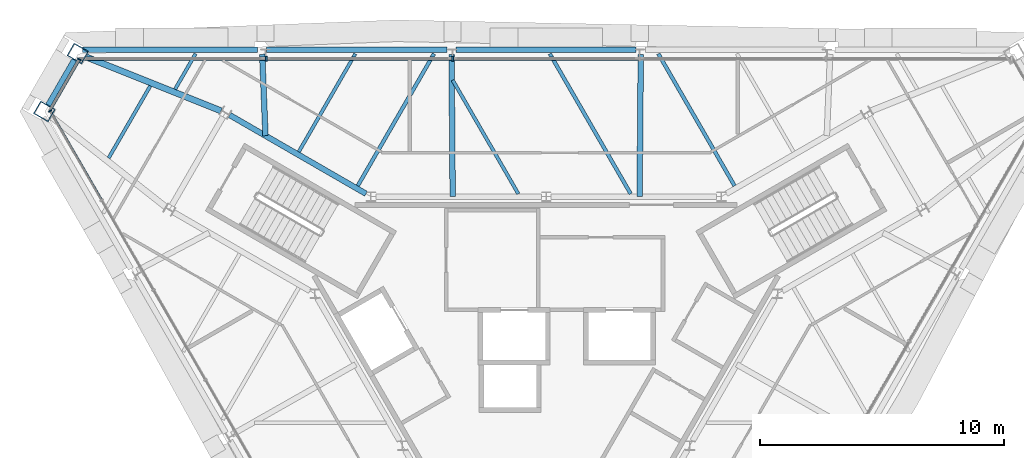
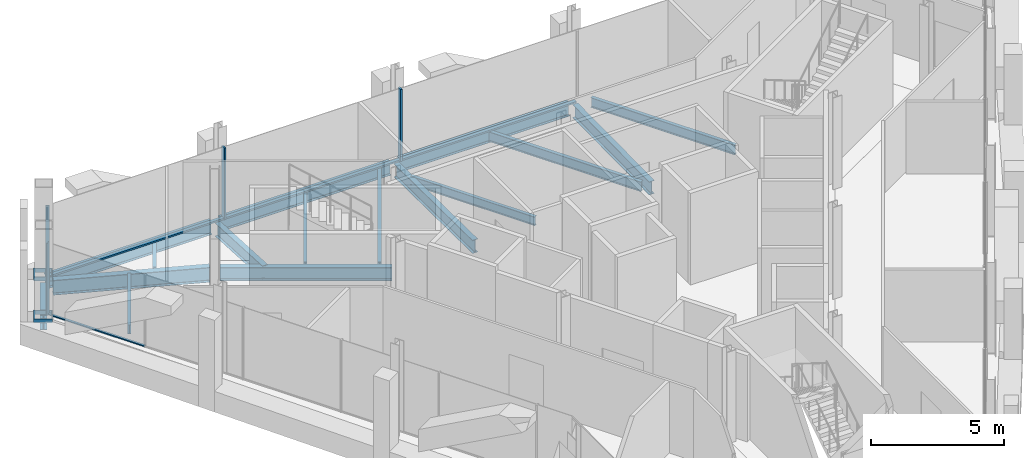
# One storey, part 6 of 13: 16 beams, 11 members, 3 elements without a shape of their own.
"""IFC4 building model written with IfcOpenShell, lengths in metres."""

from ifc_helpers import new_model, si_unit, direction, frame, origin, origin_2d, place, context, subcontext, project, spatial, rectangle, hollow_rectangle, i_section, extrude, material, material_profile, profile_set, type_object, element, aggregate, save


model = new_model("IFC4")

# Units and contexts
model_context = context("Model", 3, precision=1e-05, world=origin(), true_north=direction((0.0, 1.0)))
body_context = subcontext(model_context, "Body", "Model", "MODEL_VIEW")
ifc_project = project(units=[si_unit("LENGTHUNIT", "METRE"), si_unit("AREAUNIT", "SQUARE_METRE"), si_unit("VOLUMEUNIT", "CUBIC_METRE"), si_unit("PLANEANGLEUNIT", "RADIAN"), si_unit("MASSUNIT", "GRAM", prefix="KILO")], contexts=[model_context])

# Site, building, storey
site_placement = place(None, origin())
site = spatial("IfcSite", under=ifc_project, at=site_placement, CompositionType="ELEMENT")
building_placement = place(site_placement, origin())
building = spatial("IfcBuilding", under=site, at=building_placement, Name="Verrane Prism Tower", CompositionType="ELEMENT")
storey_placement = place(building_placement, frame((0.0, 0.0, 308.39990234375)))
storey = spatial("IfcBuildingStorey", under=building, at=storey_placement, Name="L78", CompositionType="ELEMENT", Elevation=308.39990234375)

# Beams
ifc_material_1 = material(Name="Steel A992", Category="steel")
ifc_material_profile_1 = material_profile(ifc_material_1, i_section(OverallWidth=0.25390625, OverallDepth=0.683349609375, WebThickness=0.012451171875, FlangeThickness=0.01904296875, FilletRadius=0.01513671875, at=origin_2d()), Name="W27x94")
ifc_profile_set_1 = profile_set([ifc_material_profile_1], Name="Steel A992")
beam_type_1 = type_object("IfcBeamType", Name="Chamfer spandrel beam W27x94", PredefinedType="SPANDREL", material=ifc_profile_set_1)
beam_1_placement = place(storey_placement, frame((-19.320068359375, 12.390380859375, -0.50146484375), z_axis=(-0.500486898547, -0.865744110221, 0.0), x_axis=(0.865744110221, -0.500486898547, 0.0)))
element("IfcBeam", 1, at=beam_1_placement, inside=storey, type_object=beam_type_1, Name="Chamfer spandrel beam L78", PredefinedType="SPANDREL", context=body_context, shape_type="SweptSolid", body=[
    extrude(i_section(OverallWidth=0.25390625, OverallDepth=0.683349609375, WebThickness=0.012451171875, FlangeThickness=0.01904296875, FilletRadius=0.01513671875, at=origin_2d()), origin(), (0.0, 0.0, 1.0), 2.137451171875),
])
ifc_material_2 = material(Name="Steel A992", Category="steel")
ifc_material_profile_2 = material_profile(ifc_material_2, i_section(OverallWidth=0.228271484375, OverallDepth=0.607177734375, WebThickness=0.01123046875, FlangeThickness=0.017333984375, FilletRadius=0.0126953125, at=origin_2d()), Name="W24x76")
ifc_profile_set_2 = profile_set([ifc_material_profile_2], Name="Steel A992")
beam_type_2 = type_object("IfcBeamType", Name="Core ring girder W24x76", PredefinedType="BEAM", material=ifc_profile_set_2)
beam_2_placement = place(storey_placement, frame((-7.37939453125, 6.9150390625, -0.553466796875), z_axis=(-0.866085504117, 0.499895888719, 0.0), x_axis=(-0.499895888719, -0.866085504117, 0.0)))
element("IfcBeam", 2, at=beam_2_placement, inside=storey, type_object=beam_type_2, Name="Core ring girder L78", PredefinedType="BEAM", context=body_context, shape_type="SweptSolid", body=[
    extrude(i_section(OverallWidth=0.228271484375, OverallDepth=0.607177734375, WebThickness=0.01123046875, FlangeThickness=0.017333984375, FilletRadius=0.0126953125, at=origin_2d()), origin(), (0.0, 0.0, 1.0), 6.45849609375),
])
ifc_material_3 = material(Name="Steel A992", Category="steel")
ifc_material_profile_3 = material_profile(ifc_material_3, i_section(OverallWidth=0.25390625, OverallDepth=0.683349609375, WebThickness=0.012451171875, FlangeThickness=0.01904296875, FilletRadius=0.01513671875, at=origin_2d()), Name="W27x94")
ifc_profile_set_3 = profile_set([ifc_material_profile_3], Name="Steel A992")
beam_type_3 = type_object("IfcBeamType", Name="Corner girder W27x94", PredefinedType="BEAM", material=ifc_profile_set_3)
beam_3_placement = place(storey_placement, frame((-18.841552734375, 12.518798828125, -0.5615234375), z_axis=(0.928587103525, -0.371114525675, 0.0), x_axis=(0.371114525675, 0.928587103525, 0.0)))
element("IfcBeam", 3, at=beam_3_placement, inside=storey, type_object=beam_type_3, Name="Corner girder L78", PredefinedType="BEAM", context=body_context, shape_type="SweptSolid", body=[
    extrude(i_section(OverallWidth=0.25390625, OverallDepth=0.683349609375, WebThickness=0.012451171875, FlangeThickness=0.01904296875, FilletRadius=0.01513671875, at=origin_2d()), origin(), (0.0, 0.0, 1.0), 5.945068359375),
])
ifc_material_4 = material(Name="Steel A992", Category="steel")
ifc_material_profile_4 = material_profile(ifc_material_4, i_section(OverallWidth=0.140380859375, OverallDepth=0.40380859375, WebThickness=0.007080078125, FlangeThickness=0.01123046875, FilletRadius=0.01025390625, at=origin_2d()), Name="W16x31")
ifc_profile_set_4 = profile_set([ifc_material_profile_4], Name="Steel A992")
beam_type_4 = type_object("IfcBeamType", Name="Floor beam W16x31", PredefinedType="BEAM", material=ifc_profile_set_4)
beam_4_placement = place(storey_placement, frame((-1.140380859375, 6.9140625, -0.36181640625), z_axis=(-0.500019726309, 0.866014014495, 0.0), x_axis=(-0.866014014495, -0.500019726309, 0.0)))
element("IfcBeam", 4, at=beam_4_placement, inside=storey, type_object=beam_type_4, Name="Floor beam L78", PredefinedType="BEAM", context=body_context, shape_type="SweptSolid", body=[
    extrude(i_section(OverallWidth=0.140380859375, OverallDepth=0.40380859375, WebThickness=0.007080078125, FlangeThickness=0.01123046875, FilletRadius=0.01025390625, at=origin_2d()), origin(), (0.0, 0.0, 1.0), 5.379150390625),
])
beam_5_placement = place(storey_placement, frame((-10.135498046875, 8.635009765625, -0.36181640625), z_axis=(0.500018753476, 0.866014576189, 0.0), x_axis=(-0.866014576189, 0.500018753476, 0.0)))
element("IfcBeam", 5, at=beam_5_placement, inside=storey, type_object=beam_type_4, Name="Floor beam L78", PredefinedType="BEAM", context=body_context, shape_type="SweptSolid", body=[
    extrude(i_section(OverallWidth=0.140380859375, OverallDepth=0.40380859375, WebThickness=0.007080078125, FlangeThickness=0.01123046875, FilletRadius=0.01025390625, at=origin_2d()), origin(), (0.0, 0.0, 1.0), 4.635986328125),
])
beam_6_placement = place(storey_placement, frame((-15.201904296875, 11.20068359375, -0.36181640625), z_axis=(0.500092867575, 0.865971780025, 0.0), x_axis=(-0.865971780025, 0.500092867575, 0.0)))
element("IfcBeam", 6, at=beam_6_placement, inside=storey, type_object=beam_type_4, Name="Floor beam L78", PredefinedType="BEAM", context=body_context, shape_type="SweptSolid", body=[
    extrude(i_section(OverallWidth=0.140380859375, OverallDepth=0.40380859375, WebThickness=0.007080078125, FlangeThickness=0.01123046875, FilletRadius=0.01025390625, at=origin_2d()), origin(), (0.0, 0.0, 1.0), 1.673583984375),
])
beam_7_placement = place(storey_placement, frame((-17.925048828125, 8.380615234375, -0.36181640625), z_axis=(0.500042619005, 0.866000796292, 0.0), x_axis=(-0.866000796292, 0.500042619005, 0.0)))
element("IfcBeam", 7, at=beam_7_placement, inside=storey, type_object=beam_type_4, Name="Floor beam L78", PredefinedType="BEAM", context=body_context, shape_type="SweptSolid", body=[
    extrude(i_section(OverallWidth=0.140380859375, OverallDepth=0.40380859375, WebThickness=0.007080078125, FlangeThickness=0.01123046875, FilletRadius=0.01025390625, at=origin_2d()), origin(), (0.0, 0.0, 1.0), 3.410400390625),
])
ifc_material_5 = material(Name="Steel A992", Category="steel")
ifc_material_profile_5 = material_profile(ifc_material_5, i_section(OverallWidth=0.15234375, OverallDepth=0.449462890625, WebThickness=0.007568359375, FlangeThickness=0.0107421875, FilletRadius=0.01025390625, at=origin_2d()), Name="W18x35")
ifc_profile_set_5 = profile_set([ifc_material_profile_5], Name="Steel A992")
beam_type_5 = type_object("IfcBeamType", Name="Floor beam W18x35", PredefinedType="BEAM", material=ifc_profile_set_5)
beam_8_placement = place(storey_placement, frame((7.718994140625, 7.2421875, -0.384765625), z_axis=(-0.499990954667, 0.866030626047, 0.0), x_axis=(-0.866030626047, -0.499990954667, 0.0)))
element("IfcBeam", 8, at=beam_8_placement, inside=storey, type_object=beam_type_5, Name="Floor beam L78", PredefinedType="BEAM", context=body_context, shape_type="SweptSolid", body=[
    extrude(i_section(OverallWidth=0.15234375, OverallDepth=0.449462890625, WebThickness=0.007568359375, FlangeThickness=0.0107421875, FilletRadius=0.01025390625, at=origin_2d()), origin(), (0.0, 0.0, 1.0), 6.244140625),
])
beam_9_placement = place(storey_placement, frame((3.46240234375, 6.9140625, -0.384765625), z_axis=(-0.499992612217, 0.866029669081, 0.0), x_axis=(-0.866029669081, -0.499992612217, 0.0)))
element("IfcBeam", 9, at=beam_9_placement, inside=storey, type_object=beam_type_5, Name="Floor beam L78", PredefinedType="BEAM", context=body_context, shape_type="SweptSolid", body=[
    extrude(i_section(OverallWidth=0.15234375, OverallDepth=0.449462890625, WebThickness=0.007568359375, FlangeThickness=0.0107421875, FilletRadius=0.01025390625, at=origin_2d()), origin(), (0.0, 0.0, 1.0), 6.623046875),
])
beam_10_placement = place(storey_placement, frame((-7.718994140625, 7.2421875, -0.384765625), z_axis=(0.499990954667, 0.866030626047, 0.0), x_axis=(-0.866030626047, 0.499990954667, 0.0)))
element("IfcBeam", 10, at=beam_10_placement, inside=storey, type_object=beam_type_5, Name="Floor beam L78", PredefinedType="BEAM", context=body_context, shape_type="SweptSolid", body=[
    extrude(i_section(OverallWidth=0.15234375, OverallDepth=0.449462890625, WebThickness=0.007568359375, FlangeThickness=0.0107421875, FilletRadius=0.01025390625, at=origin_2d()), origin(), (0.0, 0.0, 1.0), 6.244140625),
])

# Members
ifc_material_6 = material(Name="Steel A572 Grade 50", Category="steel")
ifc_material_profile_6 = material_profile(ifc_material_6, hollow_rectangle(XDim=0.60009765625, YDim=0.699951171875, WallThickness=0.0400390625, at=origin_2d()), Name="BOX 700x600x40")
ifc_profile_set_6 = profile_set([ifc_material_profile_6], Name="Steel A572 Grade 50")
member_type_1 = type_object("IfcMemberType", Name="Kink node BOX 700x600x40", PredefinedType="COLLAR", material=ifc_profile_set_6)
for number, where, z_axis, x_axis, name in (
    (11, (-19.1875, 12.662109375, -0.08984375), (0.0, 0.0, 1.0), (0.5, 0.866025403784, 0.0), "Kink node MC5 L78"),
    (12, (-20.55908203125, 10.2890625, -0.08984375), (0.0, 0.0, 1.0), (0.5, 0.866025403784, 0.0), "Kink node MC5 L78"),
):
    element("IfcMember", number, at=place(storey_placement, frame(where, z_axis=z_axis, x_axis=x_axis)), inside=storey, type_object=member_type_1, Name=name, PredefinedType="COLLAR", context=body_context, shape_type="SweptSolid", body=[
        extrude(hollow_rectangle(XDim=0.60009765625, YDim=0.699951171875, WallThickness=0.0400390625, at=origin_2d()), origin(), (0.0, 0.0, 1.0), 0.179931640625),
    ])

# Curtain wall, member
ifc_material_7 = material(Name="Aluminium framed insulated glazing", Category="aluminium")
curtain_wall_type_1 = type_object("IfcCurtainWallType", Name="Curtain wall CW-C 4200 module", PredefinedType="NOTDEFINED", material=ifc_material_7)
curtain_wall_1_placement = place(storey_placement, origin())
curtain_wall_1 = element("IfcCurtainWall", 13, at=curtain_wall_1_placement, inside=storey, type_object=curtain_wall_type_1, Name="Glazed curtain wall south-west face L78", PredefinedType="NOTDEFINED")
ifc_material_8 = material(Name="Aluminium alloy 6063-T6", Category="aluminium")
ifc_material_profile_7 = material_profile(ifc_material_8, rectangle(XDim=0.139892578125, YDim=0.050048828125, at=origin_2d()), Name="Mullion 50x140 aluminium")
ifc_profile_set_7 = profile_set([ifc_material_profile_7], Name="Aluminium alloy 6063-T6")
member_type_2 = type_object("IfcMemberType", Name="Mullion 50x140 aluminium", PredefinedType="MULLION", material=ifc_profile_set_7)
member_1_placement = place(storey_placement, frame((-20.32421875, 10.307861328125, 0.0), z_axis=(0.0, 0.0, 1.0), x_axis=(0.866025278644, 0.500000216749, 0.0)))
member_1 = element("IfcMember", 14, at=member_1_placement, type_object=member_type_2, Name="CW78.4 mullion 1", PredefinedType="MULLION", context=body_context, shape_type="SweptSolid", body=[
    extrude(rectangle(XDim=0.139892578125, YDim=0.050048828125, at=origin_2d()), origin(), (0.0, 0.0, 1.0), 3.296875),
])

ifc_material_9 = material(Name="Aluminium framed insulated glazing", Category="aluminium")
curtain_wall_type_2 = type_object("IfcCurtainWallType", Name="Curtain wall CW-B 5600 module", PredefinedType="NOTDEFINED", material=ifc_material_9)
curtain_wall_2_placement = place(storey_placement, origin())
curtain_wall_2 = element("IfcCurtainWall", 15, at=curtain_wall_2_placement, inside=storey, type_object=curtain_wall_type_2, Name="Glazed curtain wall north-west corner L78", PredefinedType="NOTDEFINED")
ifc_material_10 = material(Name="Aluminium alloy 6063-T6", Category="aluminium")
ifc_material_profile_8 = material_profile(ifc_material_10, rectangle(XDim=0.159912109375, YDim=0.06005859375, at=origin_2d()), Name="Mullion 60x160 aluminium")
ifc_profile_set_8 = profile_set([ifc_material_profile_8], Name="Aluminium alloy 6063-T6")
member_type_3 = type_object("IfcMemberType", Name="Mullion 60x160 aluminium", PredefinedType="MULLION", material=ifc_profile_set_8)
member_2_placement = place(storey_placement, frame((-19.12890625, 12.421142578125, 0.0), z_axis=(0.0, 0.0, 1.0), x_axis=(0.866024860131, -0.500000941634, 0.0)))
member_2 = element("IfcMember", 16, at=member_2_placement, type_object=member_type_3, Name="CW78.3 mullion 1", PredefinedType="MULLION", context=body_context, shape_type="SweptSolid", body=[
    extrude(rectangle(XDim=0.159912109375, YDim=0.06005859375, at=origin_2d()), origin(), (0.0, 0.0, 1.0), 3.296875),
])

# Curtain wall, members
ifc_material_11 = material(Name="Aluminium framed insulated glazing", Category="aluminium")
curtain_wall_type_3 = type_object("IfcCurtainWallType", Name="Curtain wall CW-A 8400 module", PredefinedType="NOTDEFINED", material=ifc_material_11)
curtain_wall_3_placement = place(storey_placement, origin())
curtain_wall_3 = element("IfcCurtainWall", 17, at=curtain_wall_3_placement, inside=storey, type_object=curtain_wall_type_3, Name="Glazed curtain wall north face L78", PredefinedType="NOTDEFINED")
ifc_material_12 = material(Name="Aluminium alloy 6063-T6", Category="aluminium")
ifc_material_profile_9 = material_profile(ifc_material_12, rectangle(XDim=0.199951171875, YDim=0.070068359375, at=origin_2d()), Name="Mullion 70x200 aluminium")
ifc_profile_set_9 = profile_set([ifc_material_profile_9], Name="Aluminium alloy 6063-T6")
member_type_4 = type_object("IfcMemberType", Name="Mullion 70x200 aluminium", PredefinedType="MULLION", material=ifc_profile_set_9)
member_3_placement = place(storey_placement, frame((-3.82275390625, 12.447265625, 0.0), z_axis=(0.0, 0.0, 1.0), x_axis=(0.0, -1.0, 0.0)))
member_3 = element("IfcMember", 18, at=member_3_placement, type_object=member_type_4, Name="CW78.2 mullion 4", PredefinedType="MULLION", context=body_context, shape_type="SweptSolid", body=[
    extrude(rectangle(XDim=0.199951171875, YDim=0.070068359375, at=origin_2d()), origin(), (0.0, 0.0, 1.0), 3.296875),
])
member_4_placement = place(storey_placement, frame((-11.468505859375, 12.447265625, 0.0), z_axis=(0.0, 0.0, 1.0), x_axis=(0.0, -1.0, 0.0)))
member_4 = element("IfcMember", 19, at=member_4_placement, type_object=member_type_4, Name="CW78.2 mullion 5", PredefinedType="MULLION", context=body_context, shape_type="SweptSolid", body=[
    extrude(rectangle(XDim=0.199951171875, YDim=0.070068359375, at=origin_2d()), origin(), (0.0, 0.0, 1.0), 3.296875),
])

# Beams
ifc_material_13 = material(Name="Steel A992", Category="steel")
ifc_material_profile_10 = material_profile(ifc_material_13, i_section(OverallWidth=0.228271484375, OverallDepth=0.607177734375, WebThickness=0.01123046875, FlangeThickness=0.017333984375, FilletRadius=0.0126953125, at=origin_2d()), Name="W24x76")
ifc_profile_set_10 = profile_set([ifc_material_profile_10], Name="Steel A992")
beam_type_6 = type_object("IfcBeamType", Name="Radial girder W24x76", PredefinedType="BEAM", material=ifc_profile_set_10)
for number, where, z_axis, x_axis, name in (
    (20, (3.876220703125, 12.630615234375, -0.5234375), (-0.007913662245, -0.999968686485, 0.0), (0.999968686485, -0.007913662245, 0.0), "Radial girder L78"),
    (21, (-3.876220703125, 12.630615234375, -0.5234375), (0.007913662245, -0.999968686485, 0.0), (0.999968686485, 0.007913662245, 0.0), "Radial girder L78"),
):
    element("IfcBeam", number, at=place(storey_placement, frame(where, z_axis=z_axis, x_axis=x_axis)), inside=storey, type_object=beam_type_6, Name=name, PredefinedType="BEAM", context=body_context, shape_type="SweptSolid", body=[
        extrude(i_section(OverallWidth=0.228271484375, OverallDepth=0.607177734375, WebThickness=0.01123046875, FlangeThickness=0.017333984375, FilletRadius=0.0126953125, at=origin_2d()), origin(), (0.0, 0.0, 1.0), 5.830810546875),
    ])
beam_11_placement = place(storey_placement, frame((-11.634521484375, 12.630859375, -0.5234375), z_axis=(0.04027453892, -0.999188651614, 0.0), x_axis=(0.999188651614, 0.04027453892, 0.0)))
element("IfcBeam", 22, at=beam_11_placement, inside=storey, type_object=beam_type_6, Name="Radial girder L78", PredefinedType="BEAM", context=body_context, shape_type="SweptSolid", body=[
    extrude(i_section(OverallWidth=0.228271484375, OverallDepth=0.607177734375, WebThickness=0.01123046875, FlangeThickness=0.017333984375, FilletRadius=0.0126953125, at=origin_2d()), origin(), (0.0, 0.0, 1.0), 3.340087890625),
])
ifc_material_14 = material(Name="Steel A992", Category="steel")
ifc_material_profile_11 = material_profile(ifc_material_14, i_section(OverallWidth=0.228271484375, OverallDepth=0.607177734375, WebThickness=0.01123046875, FlangeThickness=0.017333984375, FilletRadius=0.0126953125, at=origin_2d()), Name="W24x76")
ifc_profile_set_11 = profile_set([ifc_material_profile_11], Name="Steel A992")
beam_type_7 = type_object("IfcBeamType", Name="Spandrel beam W24x76", PredefinedType="SPANDREL", material=ifc_profile_set_11)
beam_12_placement = place(storey_placement, frame((3.691162109375, 12.81494140625, -0.46337890625), z_axis=(-1.0, 0.0, 0.0), x_axis=(0.0, -1.0, 0.0)))
element("IfcBeam", 23, at=beam_12_placement, inside=storey, type_object=beam_type_7, Name="Spandrel beam L78", PredefinedType="SPANDREL", context=body_context, shape_type="SweptSolid", body=[
    extrude(i_section(OverallWidth=0.228271484375, OverallDepth=0.607177734375, WebThickness=0.01123046875, FlangeThickness=0.017333984375, FilletRadius=0.0126953125, at=origin_2d()), origin(), (0.0, 0.0, 1.0), 7.38232421875),
])
beam_13_placement = place(storey_placement, frame((-4.064453125, 12.81494140625, -0.46337890625), z_axis=(-1.0, 0.0, 0.0), x_axis=(0.0, -1.0, 0.0)))
element("IfcBeam", 24, at=beam_13_placement, inside=storey, type_object=beam_type_7, Name="Spandrel beam L78", PredefinedType="SPANDREL", context=body_context, shape_type="SweptSolid", body=[
    extrude(i_section(OverallWidth=0.228271484375, OverallDepth=0.607177734375, WebThickness=0.01123046875, FlangeThickness=0.017333984375, FilletRadius=0.0126953125, at=origin_2d()), origin(), (0.0, 0.0, 1.0), 7.390625),
])
beam_14_placement = place(storey_placement, frame((-11.82861328125, 12.81494140625, -0.46337890625), z_axis=(-0.999999999421, -3.4035601e-05, 0.0), x_axis=(3.4035601e-05, -0.999999999421, 0.0)))
element("IfcBeam", 25, at=beam_14_placement, inside=storey, type_object=beam_type_7, Name="Spandrel beam L78", PredefinedType="SPANDREL", context=body_context, shape_type="SweptSolid", body=[
    extrude(i_section(OverallWidth=0.228271484375, OverallDepth=0.607177734375, WebThickness=0.01123046875, FlangeThickness=0.017333984375, FilletRadius=0.0126953125, at=origin_2d()), origin(), (0.0, 0.0, 1.0), 7.173095703125),
])

# Member
ifc_material_15 = material(Name="Aluminium alloy 6063-T6", Category="aluminium")
ifc_material_profile_12 = material_profile(ifc_material_15, rectangle(XDim=0.10009765625, YDim=0.050048828125, at=origin_2d()), Name="Transom 50x100 aluminium")
ifc_profile_set_12 = profile_set([ifc_material_profile_12], Name="Aluminium alloy 6063-T6")
member_type_5 = type_object("IfcMemberType", Name="Transom 50x100 aluminium", PredefinedType="USERDEFINED", material=ifc_profile_set_12)
member_5_placement = place(storey_placement, frame((-20.3115234375, 10.286376953125, 0.025146484375), z_axis=(0.499984143151, -0.866034558547, 0.0), x_axis=(0.866034558547, 0.499984143151, 0.0)))
member_5 = element("IfcMember", 26, at=member_5_placement, type_object=member_type_5, Name="CW78.4 transom 1", ObjectType="TRANSOM", PredefinedType="USERDEFINED", context=body_context, shape_type="SweptSolid", body=[
    extrude(rectangle(XDim=0.10009765625, YDim=0.050048828125, at=origin_2d()), origin(), (0.0, 0.0, 1.0), 4.172607421875),
])

aggregate(curtain_wall_1, [member_1, member_5])

ifc_material_16 = material(Name="Aluminium alloy 6063-T6", Category="aluminium")
ifc_material_profile_13 = material_profile(ifc_material_16, rectangle(XDim=0.1201171875, YDim=0.06005859375, at=origin_2d()), Name="Transom 60x120 aluminium")
ifc_profile_set_13 = profile_set([ifc_material_profile_13], Name="Aluminium alloy 6063-T6")
member_type_6 = type_object("IfcMemberType", Name="Transom 60x120 aluminium", PredefinedType="USERDEFINED", material=ifc_profile_set_13)
member_6_placement = place(storey_placement, frame((-19.14404296875, 12.395263671875, 0.030029296875), z_axis=(-0.50000302246, -0.866023658759, 0.0), x_axis=(0.866023658759, -0.50000302246, 0.0)))
member_6 = element("IfcMember", 27, at=member_6_placement, type_object=member_type_6, Name="CW78.3 transom 1", ObjectType="TRANSOM", PredefinedType="USERDEFINED", context=body_context, shape_type="SweptSolid", body=[
    extrude(rectangle(XDim=0.1201171875, YDim=0.06005859375, at=origin_2d()), origin(), (0.0, 0.0, 1.0), 2.38525390625),
])

aggregate(curtain_wall_2, [member_2, member_6])

ifc_material_17 = material(Name="Aluminium alloy 6063-T6", Category="aluminium")
ifc_material_profile_14 = material_profile(ifc_material_17, rectangle(XDim=0.14990234375, YDim=0.070068359375, at=origin_2d()), Name="Transom 70x150 aluminium")
ifc_profile_set_14 = profile_set([ifc_material_profile_14], Name="Aluminium alloy 6063-T6")
member_type_7 = type_object("IfcMemberType", Name="Transom 70x150 aluminium", PredefinedType="USERDEFINED", material=ifc_profile_set_14)
member_7_placement = place(storey_placement, frame((3.787841796875, 12.447265625, 0.03515625), z_axis=(-1.0, 0.0, 0.0), x_axis=(0.0, -1.0, 0.0)))
member_7 = element("IfcMember", 28, at=member_7_placement, type_object=member_type_7, Name="CW78.2 transom 3", ObjectType="TRANSOM", PredefinedType="USERDEFINED", context=body_context, shape_type="SweptSolid", body=[
    extrude(rectangle(XDim=0.14990234375, YDim=0.070068359375, at=origin_2d()), origin(), (0.0, 0.0, 1.0), 7.57568359375),
])

member_8_placement = place(storey_placement, frame((-3.85791015625, 12.447265625, 0.03515625), z_axis=(-1.0, 0.0, 0.0), x_axis=(0.0, -1.0, 0.0)))
member_8 = element("IfcMember", 29, at=member_8_placement, type_object=member_type_7, Name="CW78.2 transom 4", ObjectType="TRANSOM", PredefinedType="USERDEFINED", context=body_context, shape_type="SweptSolid", body=[
    extrude(rectangle(XDim=0.14990234375, YDim=0.070068359375, at=origin_2d()), origin(), (0.0, 0.0, 1.0), 7.575439453125),
])

member_9_placement = place(storey_placement, frame((-11.50341796875, 12.447265625, 0.03515625), z_axis=(-1.0, 0.0, 0.0), x_axis=(0.0, -1.0, 0.0)))
member_9 = element("IfcMember", 30, at=member_9_placement, type_object=member_type_7, Name="CW78.2 transom 5", ObjectType="TRANSOM", PredefinedType="USERDEFINED", context=body_context, shape_type="SweptSolid", body=[
    extrude(rectangle(XDim=0.14990234375, YDim=0.070068359375, at=origin_2d()), origin(), (0.0, 0.0, 1.0), 7.610595703125),
])

aggregate(curtain_wall_3, [member_3, member_4, member_7, member_8, member_9])

save(model, "model.ifc")
